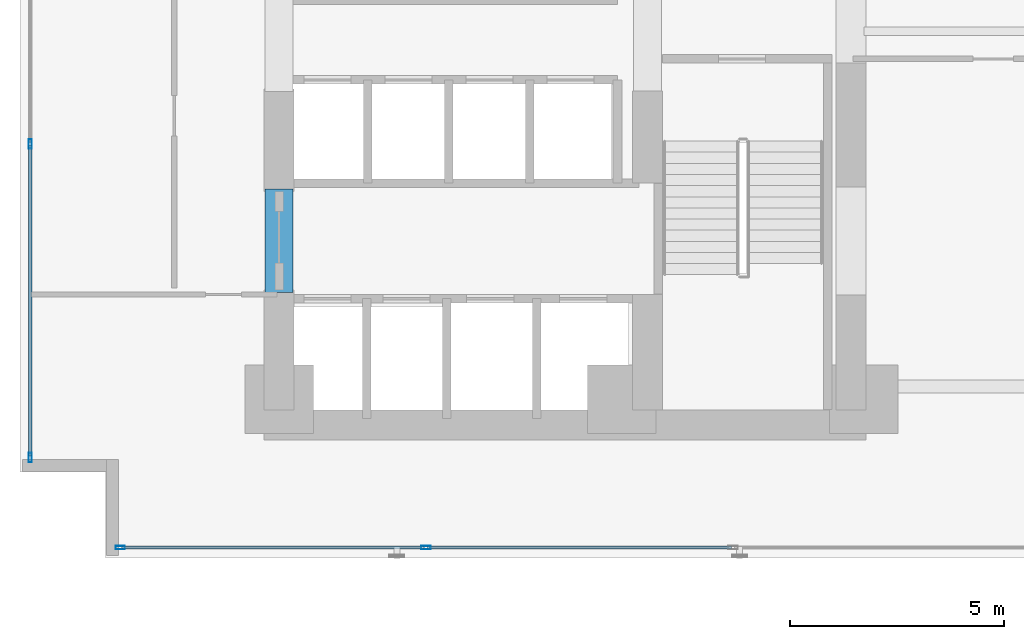
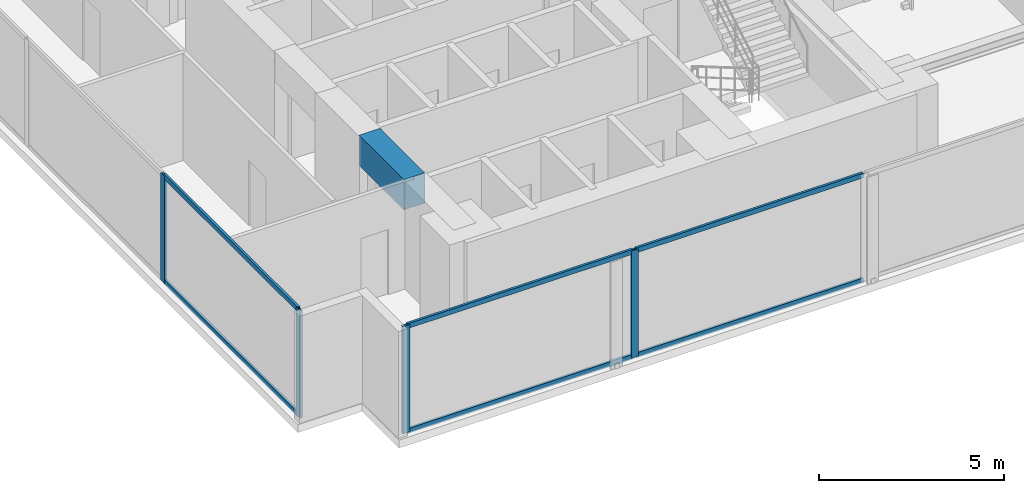
# One storey, part 2 of 28: 10 members, 1 beam, 2 elements without a shape of their own.
"""IFC4 building model written with IfcOpenShell, lengths in metres."""

from ifc_helpers import new_model, si_unit, direction, frame, origin, origin_with_axes, origin_2d, place, context, subcontext, project, spatial, rectangle, hollow_rectangle, extrude, source, transform, mapped, material, layer, layer_set, material_profile, profile_set, type_object, element, aggregate, save


model = new_model("IFC4")

# Units and contexts
model_context = context("Model", 3, precision=1e-05, world=origin(), true_north=direction((0.0, 1.0)))
body_context = subcontext(model_context, "Body", "Model", "MODEL_VIEW")
ifc_project = project(units=[si_unit("LENGTHUNIT", "METRE"), si_unit("AREAUNIT", "SQUARE_METRE"), si_unit("VOLUMEUNIT", "CUBIC_METRE"), si_unit("PLANEANGLEUNIT", "RADIAN"), si_unit("MASSUNIT", "GRAM", prefix="KILO")], contexts=[model_context])

# Site, building, storey
site_placement = place(None, origin())
site = spatial("IfcSite", under=ifc_project, at=site_placement, CompositionType="ELEMENT")
building_placement = place(site_placement, origin())
building = spatial("IfcBuilding", under=site, at=building_placement, Name="Kolvaren Waterfront Exchange", CompositionType="ELEMENT")
storey_placement = place(building_placement, frame((0.0, 0.0, 41.0)))
storey = spatial("IfcBuildingStorey", under=building, at=storey_placement, Name="L10", CompositionType="ELEMENT", Elevation=41.0)

# Beam
ifc_material_1 = material(Name="Concrete C60/75", Category="concrete")
ifc_material_profile_1 = material_profile(ifc_material_1, rectangle(XDim=0.64990234375, YDim=1.0, at=origin_2d()), Name="RC-CB-1000x650")
ifc_profile_set_1 = profile_set([ifc_material_profile_1], Name="Concrete C60/75")
beam_type = type_object("IfcBeamType", Name="STR-CB-1000", PredefinedType="SPANDREL", material=ifc_profile_set_1)
beam_placement = place(storey_placement, frame((7.449951171875, 7.389892578125, 3.0400390625), z_axis=(0.0, 1.0, 0.0), x_axis=(-1.0, 0.0, 0.0)))
element("IfcBeam", 1, at=beam_placement, inside=storey, type_object=beam_type, Name="L10 core coupling beam 3", PredefinedType="SPANDREL", context=body_context, shape_type="SweptSolid", body=[
    extrude(rectangle(XDim=0.64990234375, YDim=1.0, at=origin_2d()), origin(), (0.0, 0.0, 1.0), 2.420166015625),
])

# Curtain wall, members
ifc_material_2 = material(Name="Anodised bronze aluminium 6063-T6", Category="aluminium")
ifc_layer_1 = layer(ifc_material_2, 0.219970703125, Name="Anodised bronze aluminium 6063-T6")
ifc_layer_set_1 = layer_set([ifc_layer_1], Name="Anodised bronze aluminium 6063-T6")
curtain_wall_type_1 = type_object("IfcCurtainWallType", Name="ARC-CW-SYS1", PredefinedType="USERDEFINED", material=ifc_layer_set_1)
curtain_wall_1_placement = place(storey_placement, origin())
curtain_wall_1 = element("IfcCurtainWall", 2, at=curtain_wall_1_placement, inside=storey, type_object=curtain_wall_type_1, Name="L10 stick curtain wall CW1 (CW-L10-S)", ObjectType="STICK CURTAIN WALL", PredefinedType="USERDEFINED")
ifc_material_3 = material(Name="Anodised aluminium 6063-T6", Category="aluminium")
ifc_material_profile_2 = material_profile(ifc_material_3, hollow_rectangle(XDim=0.074951171875, YDim=0.159912109375, WallThickness=0.00439453125, at=origin_2d()), Name="ALU-TRN-160x75x4.5")
ifc_profile_set_2 = profile_set([ifc_material_profile_2], Name="Anodised aluminium 6063-T6")
member_type_1 = type_object("IfcMemberType", Name="ARC-CWT-160", PredefinedType="USERDEFINED", material=ifc_profile_set_2)
shared_shape_1 = source(origin_with_axes(), body_context, "Body", "SweptSolid", [
    extrude(hollow_rectangle(XDim=0.074951171875, YDim=0.159912109375, WallThickness=0.00439453125, at=origin_2d()), origin(), (0.0, 0.0, 1.0), 7.054931640625),
])
member_1_placement = place(storey_placement, frame((3.780029296875, 1.43994140625, 0.03759765625), z_axis=(1.0, 0.0, 0.0), x_axis=(0.0, 1.0, 0.0)))
member_1 = element("IfcMember", 3, at=member_1_placement, type_object=member_type_1, Name="CW1 transom 1.1", ObjectType="TRANSOM", PredefinedType="USERDEFINED", context=body_context, shape_type="MappedRepresentation", body=[
    mapped(shared_shape_1, transform((0.0, 0.0, 0.0), x_axis=(1.0, 0.0, 0.0), y_axis=(0.0, 1.0, 0.0), z_axis=(0.0, 0.0, 1.0), scale=1.0)),
])
member_2_placement = place(storey_placement, frame((3.780029296875, 1.43994140625, 3.50244140625), z_axis=(1.0, 0.0, 0.0), x_axis=(0.0, 1.0, 0.0)))
member_2 = element("IfcMember", 4, at=member_2_placement, type_object=member_type_1, Name="CW1 transom 1.2", ObjectType="TRANSOM", PredefinedType="USERDEFINED", context=body_context, shape_type="MappedRepresentation", body=[
    mapped(shared_shape_1, transform((0.0, 0.0, 0.0), x_axis=(1.0, 0.0, 0.0), y_axis=(0.0, 1.0, 0.0), z_axis=(0.0, 0.0, 1.0), scale=1.0)),
])
shared_shape_2 = source(origin_with_axes(), body_context, "Body", "SweptSolid", [
    extrude(hollow_rectangle(XDim=0.074951171875, YDim=0.159912109375, WallThickness=0.00439453125, at=origin_2d()), origin(), (0.0, 0.0, 1.0), 7.094970703125),
])
member_3_placement = place(storey_placement, frame((10.9150390625, 1.43994140625, 0.03759765625), z_axis=(1.0, 0.0, 0.0), x_axis=(0.0, 1.0, 0.0)))
member_3 = element("IfcMember", 5, at=member_3_placement, type_object=member_type_1, Name="CW1 transom 2.1", ObjectType="TRANSOM", PredefinedType="USERDEFINED", context=body_context, shape_type="MappedRepresentation", body=[
    mapped(shared_shape_2, transform((0.0, 0.0, 0.0), x_axis=(1.0, 0.0, 0.0), y_axis=(0.0, 1.0, 0.0), z_axis=(0.0, 0.0, 1.0), scale=1.0)),
])
member_4_placement = place(storey_placement, frame((10.9150390625, 1.43994140625, 3.50244140625), z_axis=(1.0, 0.0, 0.0), x_axis=(0.0, 1.0, 0.0)))
member_4 = element("IfcMember", 6, at=member_4_placement, type_object=member_type_1, Name="CW1 transom 2.2", ObjectType="TRANSOM", PredefinedType="USERDEFINED", context=body_context, shape_type="MappedRepresentation", body=[
    mapped(shared_shape_2, transform((0.0, 0.0, 0.0), x_axis=(1.0, 0.0, 0.0), y_axis=(0.0, 1.0, 0.0), z_axis=(0.0, 0.0, 1.0), scale=1.0)),
])

ifc_layer_2 = layer(ifc_material_3, 0.219970703125, Name="Anodised aluminium 6063-T6")
ifc_layer_set_2 = layer_set([ifc_layer_2], Name="Anodised aluminium 6063-T6")
curtain_wall_type_2 = type_object("IfcCurtainWallType", Name="ARC-CW-SYS2", PredefinedType="USERDEFINED", material=ifc_layer_set_2)
curtain_wall_2_placement = place(storey_placement, origin())
curtain_wall_2 = element("IfcCurtainWall", 7, at=curtain_wall_2_placement, inside=storey, type_object=curtain_wall_type_2, Name="L10 stick curtain wall CW2 (CW-L10-W)", ObjectType="STICK CURTAIN WALL", PredefinedType="USERDEFINED")
shared_shape_3 = source(origin_with_axes(), body_context, "Body", "SweptSolid", [
    extrude(hollow_rectangle(XDim=0.074951171875, YDim=0.159912109375, WallThickness=0.00439453125, at=origin_2d()), origin(), (0.0, 0.0, 1.0), 7.24658203125),
])
member_5_placement = place(storey_placement, frame((1.639892578125, 3.580078125, 0.03759765625), z_axis=(0.0, 1.0, 0.0), x_axis=(-1.0, 0.0, 0.0)))
member_5 = element("IfcMember", 8, at=member_5_placement, type_object=member_type_1, Name="CW2 transom 1.1", ObjectType="TRANSOM", PredefinedType="USERDEFINED", context=body_context, shape_type="MappedRepresentation", body=[
    mapped(shared_shape_3, transform((0.0, 0.0, 0.0), x_axis=(1.0, 0.0, 0.0), y_axis=(0.0, 1.0, 0.0), z_axis=(0.0, 0.0, 1.0), scale=1.0)),
])
member_6_placement = place(storey_placement, frame((1.639892578125, 3.580078125, 3.50244140625), z_axis=(0.0, 1.0, 0.0), x_axis=(-1.0, 0.0, 0.0)))
member_6 = element("IfcMember", 9, at=member_6_placement, type_object=member_type_1, Name="CW2 transom 1.2", ObjectType="TRANSOM", PredefinedType="USERDEFINED", context=body_context, shape_type="MappedRepresentation", body=[
    mapped(shared_shape_3, transform((0.0, 0.0, 0.0), x_axis=(1.0, 0.0, 0.0), y_axis=(0.0, 1.0, 0.0), z_axis=(0.0, 0.0, 1.0), scale=1.0)),
])

# Member
ifc_material_profile_3 = material_profile(ifc_material_3, hollow_rectangle(XDim=0.080078125, YDim=0.219970703125, WallThickness=0.0048828125, at=origin_2d()), Name="ALU-MUL-220x80x5")
ifc_profile_set_3 = profile_set([ifc_material_profile_3], Name="Anodised aluminium 6063-T6")
member_type_2 = type_object("IfcMemberType", Name="ARC-CWM-220", PredefinedType="MULLION", material=ifc_profile_set_3)
shared_shape_4 = source(origin_with_axes(), body_context, "Body", "SweptSolid", [
    extrude(hollow_rectangle(XDim=0.080078125, YDim=0.219970703125, WallThickness=0.0048828125, at=origin_2d()), origin(), (0.0, 0.0, 1.0), 3.5400390625),
])
member_7_placement = place(storey_placement, frame((3.739990234375, 1.43994140625, 0.0), z_axis=(0.0, 0.0, 1.0), x_axis=(0.0, 1.0, 0.0)))
member_7 = element("IfcMember", 10, at=member_7_placement, type_object=member_type_2, Name="CW1 mullion 1", PredefinedType="MULLION", context=body_context, shape_type="MappedRepresentation", body=[
    mapped(shared_shape_4, transform((0.0, 0.0, 0.0), x_axis=(1.0, 0.0, 0.0), y_axis=(0.0, 1.0, 0.0), z_axis=(0.0, 0.0, 1.0), scale=1.0)),
])

member_8_placement = place(storey_placement, frame((10.875, 1.43994140625, 0.0), z_axis=(0.0, 0.0, 1.0), x_axis=(0.0, 1.0, 0.0)))
member_8 = element("IfcMember", 11, at=member_8_placement, type_object=member_type_2, Name="CW1 mullion 2", PredefinedType="MULLION", context=body_context, shape_type="MappedRepresentation", body=[
    mapped(shared_shape_4, transform((0.0, 0.0, 0.0), x_axis=(1.0, 0.0, 0.0), y_axis=(0.0, 1.0, 0.0), z_axis=(0.0, 0.0, 1.0), scale=1.0)),
])

aggregate(curtain_wall_1, [member_7, member_8, member_1, member_2, member_3, member_4])

member_9_placement = place(storey_placement, frame((1.639892578125, 3.5400390625, 0.0), z_axis=(0.0, 0.0, 1.0), x_axis=(-1.0, 0.0, 0.0)))
member_9 = element("IfcMember", 12, at=member_9_placement, type_object=member_type_2, Name="CW2 mullion 1", PredefinedType="MULLION", context=body_context, shape_type="MappedRepresentation", body=[
    mapped(shared_shape_4, transform((0.0, 0.0, 0.0), x_axis=(1.0, 0.0, 0.0), y_axis=(0.0, 1.0, 0.0), z_axis=(0.0, 0.0, 1.0), scale=1.0)),
])

member_10_placement = place(storey_placement, frame((1.639892578125, 10.86669921875, 0.0), z_axis=(0.0, 0.0, 1.0), x_axis=(-1.0, 0.0, 0.0)))
member_10 = element("IfcMember", 13, at=member_10_placement, type_object=member_type_2, Name="CW2 mullion 2", PredefinedType="MULLION", context=body_context, shape_type="MappedRepresentation", body=[
    mapped(shared_shape_4, transform((0.0, 0.0, 0.0), x_axis=(1.0, 0.0, 0.0), y_axis=(0.0, 1.0, 0.0), z_axis=(0.0, 0.0, 1.0), scale=1.0)),
])

aggregate(curtain_wall_2, [member_9, member_10, member_5, member_6])

save(model, "model.ifc")
